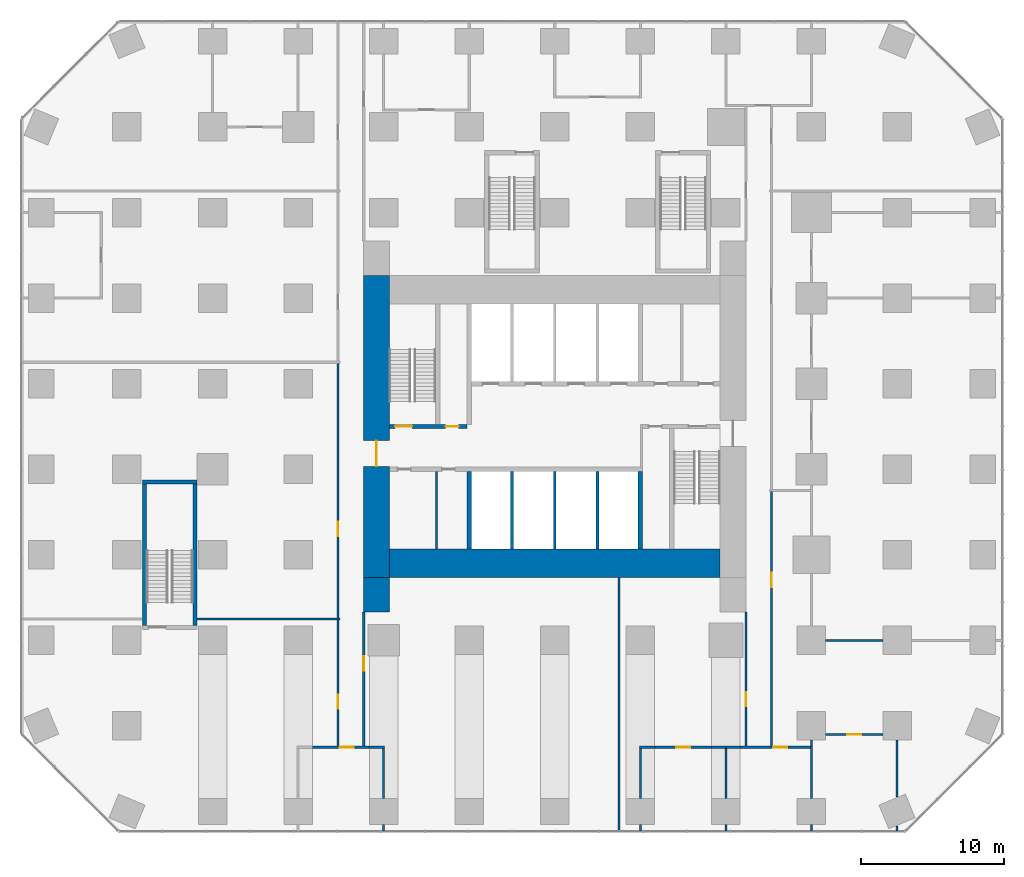
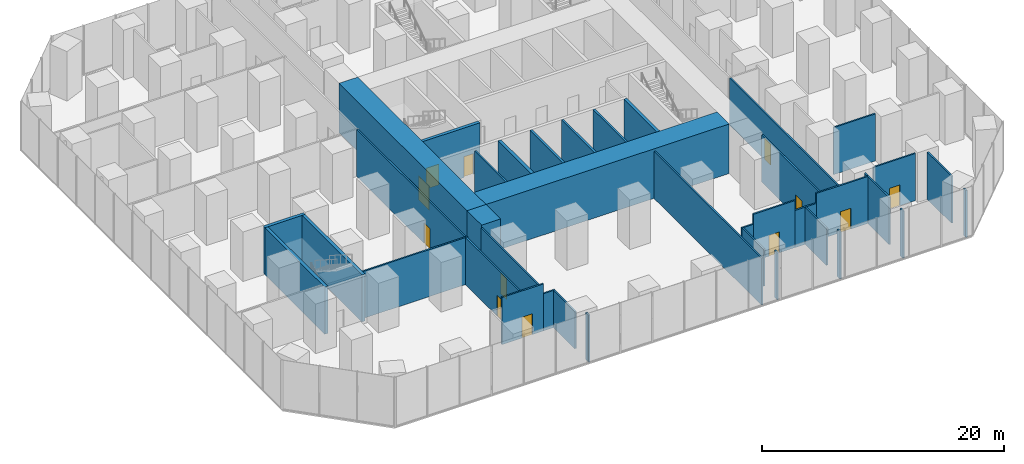
# One storey, part 11 of 15: 40 walls, 12 doors, 12 openings.
"""IFC4 building model written with IfcOpenShell, lengths in metres."""

from ifc_helpers import new_model, si_unit, direction, frame, frame_2d, origin, place, context, subcontext, project, spatial, rectangle, extrude, material, layer, layer_set, type_object, element, fill, save


model = new_model("IFC4")

# Units and contexts
model_context = context("Model", 3, precision=1e-05, world=origin(), true_north=direction((0.0, 1.0)))
body_context = subcontext(model_context, "Body", "Model", "MODEL_VIEW")
ifc_project = project(units=[si_unit("LENGTHUNIT", "METRE"), si_unit("AREAUNIT", "SQUARE_METRE"), si_unit("VOLUMEUNIT", "CUBIC_METRE"), si_unit("PLANEANGLEUNIT", "RADIAN"), si_unit("MASSUNIT", "GRAM", prefix="KILO")], contexts=[model_context])

# Site, building, storey
site_placement = place(None, origin())
site = spatial("IfcSite", under=ifc_project, at=site_placement, CompositionType="ELEMENT")
building_placement = place(site_placement, origin())
building = spatial("IfcBuilding", under=site, at=building_placement, Name="Highveld Stack Headquarters", CompositionType="ELEMENT")
storey_placement = place(building_placement, frame((0.0, 0.0, 6.0)))
storey = spatial("IfcBuildingStorey", under=building, at=storey_placement, Name="L01", CompositionType="ELEMENT", Elevation=6.0)

# Wall, opening, door
ifc_material_1 = material(Name="Concrete C60/75", Category="concrete")
ifc_layer_1 = layer(ifc_material_1, 1.800048828125)
ifc_layer_set_1 = layer_set([ifc_layer_1], Name="Concrete C60/75")
wall_type_1 = type_object("IfcWallType", Name="CORE WALL 1800 C60/75", PredefinedType="SHEAR", material=ifc_layer_set_1)
wall_1_placement = place(storey_placement, frame((-6.5, -7.60009765625, 0.0), z_axis=(0.0, 0.0, 1.0), x_axis=(0.0, 1.0, 0.0)))
wall_1 = element("IfcWall", 1, at=wall_1_placement, inside=storey, type_object=wall_type_1, Name="Core wall W L01", PredefinedType="SHEAR", context=body_context, shape_type="SweptSolid", body=[
    extrude(rectangle(XDim=21.2001953125, YDim=1.800048828125, at=frame_2d((10.60009765625, 0.0))), origin(), (0.0, 0.0, 1.0), 5.0),
])
opening_1_placement = place(wall_1_placement, frame((7.800048828125, 0.0, 0.0)))
opening_1 = element("IfcOpeningElement", 2, at=opening_1_placement, cuts=wall_1, Name="Opening L01-01", PredefinedType="OPENING", context=body_context, shape_type="SweptSolid", body=[
    extrude(rectangle(XDim=1.800048828125, YDim=2.39990234375, at=frame_2d((0.89990234375, 1.199951171875))), frame((0.0, 0.909912109375, 0.0), z_axis=(0.0, -1.0, 0.0), x_axis=(1.0, 0.0, 0.0)), (0.0, 0.0, 1.0), 1.820068359375),
])
ifc_material_2 = material(Name="Steel fire door", Category="steel")
door_type_1 = type_object("IfcDoorType", Name="LOBBY FIRE DOOR D4 1800x2400", OperationType="DOUBLE_DOOR_SINGLE_SWING", PredefinedType="DOOR", material=ifc_material_2)
door_1_placement = place(opening_1_placement, origin())
door_1 = element("IfcDoor", 3, at=door_1_placement, inside=storey, type_object=door_type_1, Name="Core west door L01", OperationType="DOUBLE_DOOR_SINGLE_SWING", OverallHeight=2.39990234375, OverallWidth=1.800048828125, PredefinedType="DOOR", context=body_context, shape_type="SweptSolid", body=[
    extrude(rectangle(XDim=1.800048828125, YDim=2.39990234375, at=frame_2d((0.89990234375, 1.199951171875))), frame((0.0, 0.02490234375, 0.0), z_axis=(0.0, -1.0, 0.0), x_axis=(1.0, 0.0, 0.0)), (0.0, 0.0, 1.0), 0.050048828125),
])
fill(opening_1, door_1)

# Wall
ifc_material_3 = material(Name="Concrete C60/75", Category="concrete")
ifc_layer_2 = layer(ifc_material_3, 2.0)
ifc_layer_set_2 = layer_set([ifc_layer_2], Name="Concrete C60/75")
wall_type_2 = type_object("IfcWallType", Name="CORE WALL 2000 C60/75", PredefinedType="SHEAR", material=ifc_layer_set_2)
wall_2_placement = place(storey_placement, frame((-5.60009765625, -6.60009765625, 0.0), z_axis=(0.0, 0.0, 1.0), x_axis=(1.0, 0.0, 0.0)))
element("IfcWall", 4, at=wall_2_placement, inside=storey, type_object=wall_type_2, Name="Core wall S L01", PredefinedType="SHEAR", context=body_context, shape_type="SweptSolid", body=[
    extrude(rectangle(XDim=23.2001953125, YDim=2.0, at=frame_2d((11.60009765625, 0.0))), origin(), (0.0, 0.0, 1.0), 5.0),
])

# Wall, openings, doors
ifc_material_4 = material(Name="Concrete C60/75", Category="concrete")
ifc_layer_3 = layer(ifc_material_4, 0.300048828125)
ifc_layer_set_3 = layer_set([ifc_layer_3], Name="Concrete C60/75")
wall_type_3 = type_object("IfcWallType", Name="CORE WALL 300 C60/75", PredefinedType="SHEAR", material=ifc_layer_set_3)
wall_3_placement = place(storey_placement, frame((-5.60009765625, 3.0, 0.0), z_axis=(0.0, 0.0, 1.0), x_axis=(1.0, 0.0, 0.0)))
wall_3 = element("IfcWall", 5, at=wall_3_placement, inside=storey, type_object=wall_type_3, Name="Core wall I-Y3W L01", PredefinedType="SHEAR", context=body_context, shape_type="SweptSolid", body=[
    extrude(rectangle(XDim=5.4501953125, YDim=0.300048828125, at=frame_2d((2.72509765625, 0.0))), origin(), (0.0, 0.0, 1.0), 5.0),
])
opening_2_placement = place(wall_3_placement, frame((0.39990234375, 0.0, 0.0)))
opening_2 = element("IfcOpeningElement", 6, at=opening_2_placement, cuts=wall_3, Name="Opening L01-03", PredefinedType="OPENING", context=body_context, shape_type="SweptSolid", body=[
    extrude(rectangle(XDim=1.199951171875, YDim=2.10009765625, at=frame_2d((0.60009765625, 1.050048828125))), frame((0.0, 0.159912109375, 0.0), z_axis=(0.0, -1.0, 0.0), x_axis=(1.0, 0.0, 0.0)), (0.0, 0.0, 1.0), 0.320068359375),
])
opening_3_placement = place(wall_3_placement, frame((3.949951171875, 0.0, 0.0)))
opening_3 = element("IfcOpeningElement", 7, at=opening_3_placement, cuts=wall_3, Name="Opening L01-04", PredefinedType="OPENING", context=body_context, shape_type="SweptSolid", body=[
    extrude(rectangle(XDim=0.89990234375, YDim=2.10009765625, at=frame_2d((0.449951171875, 1.050048828125))), frame((0.0, 0.159912109375, 0.0), z_axis=(0.0, -1.0, 0.0), x_axis=(1.0, 0.0, 0.0)), (0.0, 0.0, 1.0), 0.320068359375),
])
ifc_material_5 = material(Name="Steel fire door", Category="steel")
door_type_2 = type_object("IfcDoorType", Name="RISER ACCESS DOOR D5 900x2100", OperationType="SINGLE_SWING_LEFT", PredefinedType="DOOR", material=ifc_material_5)
door_2_placement = place(opening_3_placement, origin())
door_2 = element("IfcDoor", 8, at=door_2_placement, inside=storey, type_object=door_type_2, Name="Riser R1 door L01", OperationType="SINGLE_SWING_RIGHT", OverallHeight=2.10009765625, OverallWidth=0.89990234375, PredefinedType="DOOR", context=body_context, shape_type="SweptSolid", body=[
    extrude(rectangle(XDim=0.89990234375, YDim=2.10009765625, at=frame_2d((0.449951171875, 1.050048828125))), frame((0.0, 0.02490234375, 0.0), z_axis=(0.0, -1.0, 0.0), x_axis=(1.0, 0.0, 0.0)), (0.0, 0.0, 1.0), 0.050048828125),
])
fill(opening_3, door_2)
ifc_material_6 = material(Name="Steel fire door", Category="steel")
door_type_3 = type_object("IfcDoorType", Name="STAIR FIRE DOOR D3 1200x2100", OperationType="SINGLE_SWING_LEFT", PredefinedType="DOOR", material=ifc_material_6)
door_3_placement = place(opening_2_placement, origin())
door_3 = element("IfcDoor", 9, at=door_3_placement, inside=storey, type_object=door_type_3, Name="Stair S1 door L01", OperationType="SINGLE_SWING_LEFT", OverallHeight=2.10009765625, OverallWidth=1.199951171875, PredefinedType="DOOR", context=body_context, shape_type="SweptSolid", body=[
    extrude(rectangle(XDim=1.199951171875, YDim=2.10009765625, at=frame_2d((0.60009765625, 1.050048828125))), frame((0.0, 0.02490234375, 0.0), z_axis=(0.0, -1.0, 0.0), x_axis=(1.0, 0.0, 0.0)), (0.0, 0.0, 1.0), 0.050048828125),
])
fill(opening_2, door_3)

# Walls
for number, where, z_axis, x_axis, name in (
    (10, (0.0, -5.60009765625, 0.0), (0.0, 0.0, 1.0), (0.0, 1.0, 0.0), "Core wall I-X0S L01"),
    (11, (12.0, -5.60009765625, 0.0), (0.0, 0.0, 1.0), (0.0, 1.0, 0.0), "Core wall I-X12S L01"),
):
    element("IfcWall", number, at=place(storey_placement, frame(where, z_axis=z_axis, x_axis=x_axis)), inside=storey, type_object=wall_type_3, Name=name, PredefinedType="SHEAR", context=body_context, shape_type="SweptSolid", body=[
        extrude(rectangle(XDim=5.4501953125, YDim=0.300048828125, at=frame_2d((2.72509765625, 0.0))), origin(), (0.0, 0.0, 1.0), 5.0),
    ])
ifc_material_7 = material(Name="Concrete C60/75", Category="concrete")
ifc_layer_4 = layer(ifc_material_7, 1.800048828125)
ifc_layer_set_4 = layer_set([ifc_layer_4], Name="Concrete C60/75")
wall_type_4 = type_object("IfcWallType", Name="CORE WING WALL 1800 C60/75", PredefinedType="SHEAR", material=ifc_layer_set_4)
wall_4_placement = place(storey_placement, frame((-6.5, -10.0, 0.0), z_axis=(0.0, 0.0, 1.0), x_axis=(0.0, 1.0, 0.0)))
element("IfcWall", 12, at=wall_4_placement, inside=storey, type_object=wall_type_4, Name="Core wing wall WS L01", PredefinedType="SHEAR", context=body_context, shape_type="SweptSolid", body=[
    extrude(rectangle(XDim=2.39990234375, YDim=1.800048828125, at=frame_2d((1.199951171875, 0.0))), origin(), (0.0, 0.0, 1.0), 5.0),
])

# Wall, opening, door
ifc_material_8 = material(Name="Laminated glass in aluminium frame", Category="aluminium")
ifc_layer_5 = layer(ifc_material_8, 0.14990234375)
ifc_layer_set_5 = layer_set([ifc_layer_5], Name="Laminated glass in aluminium frame")
wall_type_5 = type_object("IfcWallType", Name="GLAZED PARTITION 150", PredefinedType="PARTITIONING", material=ifc_layer_set_5)
wall_5_placement = place(storey_placement, frame((25.0, -18.60009765625, 0.0), z_axis=(0.0, 0.0, 1.0), x_axis=(1.0, 0.0, 0.0)))
wall_5 = element("IfcWall", 13, at=wall_5_placement, inside=storey, type_object=wall_type_5, Name="Glazed partition Video conference room L01", PredefinedType="PARTITIONING", context=body_context, shape_type="SweptSolid", body=[
    extrude(rectangle(XDim=4.0, YDim=0.14990234375, at=frame_2d((2.0, 0.0))), origin(), (0.0, 0.0, 1.0), 4.75),
])
opening_4_placement = place(wall_5_placement, frame((1.5, 0.0, 0.0)))
opening_4 = element("IfcOpeningElement", 14, at=opening_4_placement, cuts=wall_5, Name="Opening L01-20", PredefinedType="OPENING", context=body_context, shape_type="SweptSolid", body=[
    extrude(rectangle(XDim=1.0, YDim=2.10009765625, at=frame_2d((0.5, 1.050048828125))), frame((0.0, 0.0849609375, 0.0), z_axis=(0.0, -1.0, 0.0), x_axis=(1.0, 0.0, 0.0)), (0.0, 0.0, 1.0), 0.169921875),
])
ifc_material_9 = material(Name="Timber door, oiled ash", Category="wood")
door_type_4 = type_object("IfcDoorType", Name="ROOM DOOR D6 1000x2100", OperationType="SINGLE_SWING_LEFT", PredefinedType="DOOR", material=ifc_material_9)
door_4_placement = place(opening_4_placement, origin())
door_4 = element("IfcDoor", 15, at=door_4_placement, inside=storey, type_object=door_type_4, Name="Video conference room door 1 L01", OperationType="SINGLE_SWING_RIGHT", OverallHeight=2.10009765625, OverallWidth=1.0, PredefinedType="DOOR", context=body_context, shape_type="SweptSolid", body=[
    extrude(rectangle(XDim=1.0, YDim=2.10009765625, at=frame_2d((0.5, 1.050048828125))), frame((0.0, 0.02490234375, 0.0), z_axis=(0.0, -1.0, 0.0), x_axis=(1.0, 0.0, 0.0)), (0.0, 0.0, 1.0), 0.050048828125),
])
fill(opening_4, door_4)

# Walls
ifc_material_10 = material(Name="Concrete blockwork, fair-faced", Category="masonry")
ifc_layer_6 = layer(ifc_material_10, 0.199951171875)
ifc_layer_set_6 = layer_set([ifc_layer_6], Name="Concrete blockwork, fair-faced")
wall_type_6 = type_object("IfcWallType", Name="LIFT SHAFT ENCLOSURE WALL 200 BLOCKWORK", PredefinedType="SOLIDWALL", material=ifc_layer_set_6)
for number, where, z_axis, x_axis, name in (
    (16, (3.0, -5.60009765625, 0.0), (0.0, 0.0, 1.0), (0.0, 1.0, 0.0), "Lift shaft wall L01"),
    (17, (6.0, -5.60009765625, 0.0), (0.0, 0.0, 1.0), (0.0, 1.0, 0.0), "Lift shaft wall L01"),
    (18, (9.0, -5.60009765625, 0.0), (0.0, 0.0, 1.0), (0.0, 1.0, 0.0), "Lift shaft wall L01"),
):
    element("IfcWall", number, at=place(storey_placement, frame(where, z_axis=z_axis, x_axis=x_axis)), inside=storey, type_object=wall_type_6, Name=name, PredefinedType="SOLIDWALL", context=body_context, shape_type="SweptSolid", body=[
        extrude(rectangle(XDim=5.4501953125, YDim=0.199951171875, at=frame_2d((2.72509765625, 0.0))), origin(), (0.0, 0.0, 1.0), 5.0),
    ])

# Wall, opening, door
ifc_material_11 = material(Name="Gypsum plasterboard on steel studs", Category="steel")
ifc_layer_7 = layer(ifc_material_11, 0.14990234375)
ifc_layer_set_7 = layer_set([ifc_layer_7], Name="Gypsum plasterboard on steel studs")
wall_type_7 = type_object("IfcWallType", Name="PARTITION 150 PLASTERBOARD", PredefinedType="PARTITIONING", material=ifc_layer_set_7)
wall_6_placement = place(storey_placement, frame((-10.989990234375, -19.5, 0.0), z_axis=(0.0, 0.0, 1.0), x_axis=(1.0, 0.0, 0.0)))
wall_6 = element("IfcWall", 19, at=wall_6_placement, inside=storey, type_object=wall_type_7, Name="Partition Quiet room L01", PredefinedType="PARTITIONING", context=body_context, shape_type="SweptSolid", body=[
    extrude(rectangle(XDim=3.97998046875, YDim=0.14990234375, at=frame_2d((1.989990234375, 0.0))), origin(), (0.0, 0.0, 1.0), 4.75),
])
opening_5_placement = place(wall_6_placement, frame((1.89990234375, 0.0, 0.0)))
opening_5 = element("IfcOpeningElement", 20, at=opening_5_placement, cuts=wall_6, Name="Opening L01-17", PredefinedType="OPENING", context=body_context, shape_type="SweptSolid", body=[
    extrude(rectangle(XDim=1.0, YDim=2.10009765625, at=frame_2d((0.5, 1.050048828125))), frame((0.0, 0.0849609375, 0.0), z_axis=(0.0, -1.0, 0.0), x_axis=(1.0, 0.0, 0.0)), (0.0, 0.0, 1.0), 0.169921875),
])
door_5_placement = place(opening_5_placement, origin())
door_5 = element("IfcDoor", 21, at=door_5_placement, inside=storey, type_object=door_type_4, Name="Quiet room door 1 L01", OperationType="SINGLE_SWING_RIGHT", OverallHeight=2.10009765625, OverallWidth=1.0, PredefinedType="DOOR", context=body_context, shape_type="SweptSolid", body=[
    extrude(rectangle(XDim=1.0, YDim=2.10009765625, at=frame_2d((0.5, 1.050048828125))), frame((0.0, 0.02490234375, 0.0), z_axis=(0.0, -1.0, 0.0), x_axis=(1.0, 0.0, 0.0)), (0.0, 0.0, 1.0), 0.050048828125),
])
fill(opening_5, door_5)

# Walls
for number, where, z_axis, x_axis, name in (
    (22, (-7.010009765625, -19.5, 0.0), (0.0, 0.0, 1.0), (1.0, 0.0, 0.0), "Partition Quiet room L01"),
    (23, (11.925048828125, -19.5, 0.0), (0.0, 0.0, 1.0), (1.0, 0.0, 0.0), "Partition Quiet room L01"),
):
    element("IfcWall", number, at=place(storey_placement, frame(where, z_axis=z_axis, x_axis=x_axis)), inside=storey, type_object=wall_type_7, Name=name, PredefinedType="PARTITIONING", context=body_context, shape_type="SweptSolid", body=[
        extrude(rectangle(XDim=1.0849609375, YDim=0.14990234375, at=frame_2d((0.54248046875, 0.0))), origin(), (0.0, 0.0, 1.0), 3.75),
    ])

# Wall, opening, door
wall_7_placement = place(storey_placement, frame((13.010009765625, -19.5, 0.0), z_axis=(0.0, 0.0, 1.0), x_axis=(1.0, 0.0, 0.0)))
wall_7 = element("IfcWall", 24, at=wall_7_placement, inside=storey, type_object=wall_type_7, Name="Partition Quiet room L01", PredefinedType="PARTITIONING", context=body_context, shape_type="SweptSolid", body=[
    extrude(rectangle(XDim=3.97998046875, YDim=0.14990234375, at=frame_2d((1.989990234375, 0.0))), origin(), (0.0, 0.0, 1.0), 4.75),
])
opening_6_placement = place(wall_7_placement, frame((1.489990234375, 0.0, 0.0)))
opening_6 = element("IfcOpeningElement", 25, at=opening_6_placement, cuts=wall_7, Name="Opening L01-18", PredefinedType="OPENING", context=body_context, shape_type="SweptSolid", body=[
    extrude(rectangle(XDim=1.0, YDim=2.10009765625, at=frame_2d((0.5, 1.050048828125))), frame((0.0, 0.0849609375, 0.0), z_axis=(0.0, -1.0, 0.0), x_axis=(1.0, 0.0, 0.0)), (0.0, 0.0, 1.0), 0.169921875),
])
door_6_placement = place(opening_6_placement, origin())
door_6 = element("IfcDoor", 26, at=door_6_placement, inside=storey, type_object=door_type_4, Name="Quiet room door 1 L01", OperationType="SINGLE_SWING_LEFT", OverallHeight=2.10009765625, OverallWidth=1.0, PredefinedType="DOOR", context=body_context, shape_type="SweptSolid", body=[
    extrude(rectangle(XDim=1.0, YDim=2.10009765625, at=frame_2d((0.5, 1.050048828125))), frame((0.0, 0.02490234375, 0.0), z_axis=(0.0, -1.0, 0.0), x_axis=(1.0, 0.0, 0.0)), (0.0, 0.0, 1.0), 0.050048828125),
])
fill(opening_6, door_6)

# Walls
wall_8_placement = place(storey_placement, frame((16.989990234375, -19.5, 0.0), z_axis=(0.0, 0.0, 1.0), x_axis=(1.0, 0.0, 0.0)))
element("IfcWall", 27, at=wall_8_placement, inside=storey, type_object=wall_type_7, Name="Partition Quiet room L01", PredefinedType="PARTITIONING", context=body_context, shape_type="SweptSolid", body=[
    extrude(rectangle(XDim=1.0849609375, YDim=0.14990234375, at=frame_2d((0.54248046875, 0.0))), origin(), (0.0, 0.0, 1.0), 3.75),
])
wall_9_placement = place(storey_placement, frame((18.0, -19.5, 0.0), z_axis=(0.0, 0.0, 1.0), x_axis=(1.0, 0.0, 0.0)))
element("IfcWall", 28, at=wall_9_placement, inside=storey, type_object=wall_type_7, Name="Partition Quiet room L01", PredefinedType="PARTITIONING", context=body_context, shape_type="SweptSolid", body=[
    extrude(rectangle(XDim=1.010009765625, YDim=0.14990234375, at=frame_2d((0.5048828125, 0.0))), origin(), (0.0, 0.0, 1.0), 3.75),
])

# Wall, opening, door
wall_10_placement = place(storey_placement, frame((19.010009765625, -19.5, 0.0), z_axis=(0.0, 0.0, 1.0), x_axis=(1.0, 0.0, 0.0)))
wall_10 = element("IfcWall", 29, at=wall_10_placement, inside=storey, type_object=wall_type_7, Name="Partition Quiet room L01", PredefinedType="PARTITIONING", context=body_context, shape_type="SweptSolid", body=[
    extrude(rectangle(XDim=4.9150390625, YDim=0.14990234375, at=frame_2d((2.45751953125, 0.0))), origin(), (0.0, 0.0, 1.0), 4.75),
])
opening_7_placement = place(wall_10_placement, frame((2.300048828125, 0.0, 0.0)))
opening_7 = element("IfcOpeningElement", 30, at=opening_7_placement, cuts=wall_10, Name="Opening L01-19", PredefinedType="OPENING", context=body_context, shape_type="SweptSolid", body=[
    extrude(rectangle(XDim=1.0, YDim=2.10009765625, at=frame_2d((0.5, 1.050048828125))), frame((0.0, 0.0849609375, 0.0), z_axis=(0.0, -1.0, 0.0), x_axis=(1.0, 0.0, 0.0)), (0.0, 0.0, 1.0), 0.169921875),
])
door_7_placement = place(opening_7_placement, origin())
door_7 = element("IfcDoor", 31, at=door_7_placement, inside=storey, type_object=door_type_4, Name="Quiet room door 1 L01", OperationType="SINGLE_SWING_RIGHT", OverallHeight=2.10009765625, OverallWidth=1.0, PredefinedType="DOOR", context=body_context, shape_type="SweptSolid", body=[
    extrude(rectangle(XDim=1.0, YDim=2.10009765625, at=frame_2d((0.5, 1.050048828125))), frame((0.0, 0.02490234375, 0.0), z_axis=(0.0, -1.0, 0.0), x_axis=(1.0, 0.0, 0.0)), (0.0, 0.0, 1.0), 0.050048828125),
])
fill(opening_7, door_7)

# Walls
wall_11_placement = place(storey_placement, frame((25.0, -12.0, 0.0), z_axis=(0.0, 0.0, 1.0), x_axis=(1.0, 0.0, 0.0)))
element("IfcWall", 32, at=wall_11_placement, inside=storey, type_object=wall_type_7, Name="Partition Staff restaurant L01", PredefinedType="PARTITIONING", context=body_context, shape_type="SweptSolid", body=[
    extrude(rectangle(XDim=4.0, YDim=0.14990234375, at=frame_2d((2.0, 0.0))), origin(), (0.0, 0.0, 1.0), 4.75),
])
wall_12_placement = place(storey_placement, frame((-6.0, -25.375, 0.0), z_axis=(0.0, 0.0, 1.0), x_axis=(0.0, 1.0, 0.0)))
element("IfcWall", 33, at=wall_12_placement, inside=storey, type_object=wall_type_7, Name="Partition Quiet room L01", PredefinedType="PARTITIONING", context=body_context, shape_type="SweptSolid", body=[
    extrude(rectangle(XDim=0.47509765625, YDim=0.14990234375, at=frame_2d((0.237548828125, 0.0))), origin(), (0.0, 0.0, 1.0), 4.75),
])
wall_13_placement = place(storey_placement, frame((-6.0, -23.10009765625, 0.0), z_axis=(0.0, 0.0, 1.0), x_axis=(0.0, 1.0, 0.0)))
element("IfcWall", 34, at=wall_13_placement, inside=storey, type_object=wall_type_7, Name="Partition Quiet room L01", PredefinedType="PARTITIONING", context=body_context, shape_type="SweptSolid", body=[
    extrude(rectangle(XDim=3.525146484375, YDim=0.14990234375, at=frame_2d((1.7626953125, 0.0))), origin(), (0.0, 0.0, 1.0), 3.75),
])
wall_14_placement = place(storey_placement, frame((12.0, -25.375, 0.0), z_axis=(0.0, 0.0, 1.0), x_axis=(0.0, 1.0, 0.0)))
element("IfcWall", 35, at=wall_14_placement, inside=storey, type_object=wall_type_7, Name="Partition Quiet room L01", PredefinedType="PARTITIONING", context=body_context, shape_type="SweptSolid", body=[
    extrude(rectangle(XDim=0.47509765625, YDim=0.14990234375, at=frame_2d((0.237548828125, 0.0))), origin(), (0.0, 0.0, 1.0), 4.75),
])
wall_15_placement = place(storey_placement, frame((12.0, -23.10009765625, 0.0), z_axis=(0.0, 0.0, 1.0), x_axis=(0.0, 1.0, 0.0)))
element("IfcWall", 36, at=wall_15_placement, inside=storey, type_object=wall_type_7, Name="Partition Quiet room L01", PredefinedType="PARTITIONING", context=body_context, shape_type="SweptSolid", body=[
    extrude(rectangle(XDim=3.525146484375, YDim=0.14990234375, at=frame_2d((1.7626953125, 0.0))), origin(), (0.0, 0.0, 1.0), 3.75),
])
wall_16_placement = place(storey_placement, frame((18.0, -25.375, 0.0), z_axis=(0.0, 0.0, 1.0), x_axis=(0.0, 1.0, 0.0)))
element("IfcWall", 37, at=wall_16_placement, inside=storey, type_object=wall_type_7, Name="Partition Quiet room L01", PredefinedType="PARTITIONING", context=body_context, shape_type="SweptSolid", body=[
    extrude(rectangle(XDim=0.47509765625, YDim=0.14990234375, at=frame_2d((0.237548828125, 0.0))), origin(), (0.0, 0.0, 1.0), 4.75),
])
wall_17_placement = place(storey_placement, frame((18.0, -23.10009765625, 0.0), z_axis=(0.0, 0.0, 1.0), x_axis=(0.0, 1.0, 0.0)))
element("IfcWall", 38, at=wall_17_placement, inside=storey, type_object=wall_type_7, Name="Partition Quiet room L01", PredefinedType="PARTITIONING", context=body_context, shape_type="SweptSolid", body=[
    extrude(rectangle(XDim=3.525146484375, YDim=0.14990234375, at=frame_2d((1.7626953125, 0.0))), origin(), (0.0, 0.0, 1.0), 3.75),
])
wall_18_placement = place(storey_placement, frame((24.0, -25.375, 0.0), z_axis=(0.0, 0.0, 1.0), x_axis=(0.0, 1.0, 0.0)))
element("IfcWall", 39, at=wall_18_placement, inside=storey, type_object=wall_type_7, Name="Partition Quiet room / Video conference room L01", PredefinedType="PARTITIONING", context=body_context, shape_type="SweptSolid", body=[
    extrude(rectangle(XDim=0.47509765625, YDim=0.14990234375, at=frame_2d((0.237548828125, 0.0))), origin(), (0.0, 0.0, 1.0), 4.75),
])
wall_19_placement = place(storey_placement, frame((24.0, -23.10009765625, 0.0), z_axis=(0.0, 0.0, 1.0), x_axis=(0.0, 1.0, 0.0)))
element("IfcWall", 40, at=wall_19_placement, inside=storey, type_object=wall_type_7, Name="Partition Quiet room / Video conference room L01", PredefinedType="PARTITIONING", context=body_context, shape_type="SweptSolid", body=[
    extrude(rectangle(XDim=3.675048828125, YDim=0.14990234375, at=frame_2d((1.83740234375, 0.0))), origin(), (0.0, 0.0, 1.0), 4.75),
])
wall_20_placement = place(storey_placement, frame((24.0, -19.425048828125, 0.0), z_axis=(0.0, 0.0, 1.0), x_axis=(0.0, 1.0, 0.0)))
element("IfcWall", 41, at=wall_20_placement, inside=storey, type_object=wall_type_7, Name="Partition Video conference room L01", PredefinedType="PARTITIONING", context=body_context, shape_type="SweptSolid", body=[
    extrude(rectangle(XDim=0.425048828125, YDim=0.14990234375, at=frame_2d((0.21240234375, 0.0))), origin(), (0.0, 0.0, 1.0), 4.75),
])
wall_21_placement = place(storey_placement, frame((30.0, -25.375, 0.0), z_axis=(0.0, 0.0, 1.0), x_axis=(0.0, 1.0, 0.0)))
element("IfcWall", 42, at=wall_21_placement, inside=storey, type_object=wall_type_7, Name="Partition Video conference room L01", PredefinedType="PARTITIONING", context=body_context, shape_type="SweptSolid", body=[
    extrude(rectangle(XDim=0.369873046875, YDim=0.14990234375, at=frame_2d((0.18505859375, 0.0))), origin(), (0.0, 0.0, 1.0), 4.75),
])
wall_22_placement = place(storey_placement, frame((30.0, -22.994873046875, 0.0), z_axis=(0.0, 0.0, 1.0), x_axis=(0.0, 1.0, 0.0)))
element("IfcWall", 43, at=wall_22_placement, inside=storey, type_object=wall_type_7, Name="Partition Video conference room L01", PredefinedType="PARTITIONING", context=body_context, shape_type="SweptSolid", body=[
    extrude(rectangle(XDim=3.994873046875, YDim=0.14990234375, at=frame_2d((1.99755859375, 0.0))), origin(), (0.0, 0.0, 1.0), 4.75),
])
wall_23_placement = place(storey_placement, frame((-19.074951171875, -10.5, 0.0), z_axis=(0.0, 0.0, 1.0), x_axis=(1.0, 0.0, 0.0)))
element("IfcWall", 44, at=wall_23_placement, inside=storey, type_object=wall_type_7, Name="Partition office neighbourhood L01", PredefinedType="PARTITIONING", context=body_context, shape_type="SweptSolid", body=[
    extrude(rectangle(XDim=10.02490234375, YDim=0.14990234375, at=frame_2d((5.012451171875, 0.0))), origin(), (0.0, 0.0, 1.0), 4.75),
])

# Wall, opening, door
wall_24_placement = place(storey_placement, frame((-9.199951171875, -19.425048828125, 0.0), z_axis=(0.0, 0.0, 1.0), x_axis=(0.0, 1.0, 0.0)))
wall_24 = element("IfcWall", 45, at=wall_24_placement, inside=storey, type_object=wall_type_7, Name="Partition office neighbourhood L01", PredefinedType="PARTITIONING", context=body_context, shape_type="SweptSolid", body=[
    extrude(rectangle(XDim=8.85009765625, YDim=0.14990234375, at=frame_2d((4.425048828125, 0.0))), origin(), (0.0, 0.0, 1.0), 4.75),
])
opening_8_placement = place(wall_24_placement, frame((2.6240234375, 0.0, 0.0)))
opening_8 = element("IfcOpeningElement", 46, at=opening_8_placement, cuts=wall_24, Name="Opening L01-26", PredefinedType="OPENING", context=body_context, shape_type="SweptSolid", body=[
    extrude(rectangle(XDim=1.0, YDim=2.10009765625, at=frame_2d((0.5, 1.050048828125))), frame((0.0, 0.0849609375, 0.0), z_axis=(0.0, -1.0, 0.0), x_axis=(1.0, 0.0, 0.0)), (0.0, 0.0, 1.0), 0.169921875),
])
door_8_placement = place(opening_8_placement, origin())
door_8 = element("IfcDoor", 47, at=door_8_placement, inside=storey, type_object=door_type_4, Name="Office neighbourhood door L01", OperationType="SINGLE_SWING_LEFT", OverallHeight=2.10009765625, OverallWidth=1.0, PredefinedType="DOOR", context=body_context, shape_type="SweptSolid", body=[
    extrude(rectangle(XDim=1.0, YDim=2.10009765625, at=frame_2d((0.5, 1.050048828125))), frame((0.0, 0.02490234375, 0.0), z_axis=(0.0, -1.0, 0.0), x_axis=(1.0, 0.0, 0.0)), (0.0, 0.0, 1.0), 0.050048828125),
])
fill(opening_8, door_8)

wall_25_placement = place(storey_placement, frame((-9.199951171875, -10.425048828125, 0.0), z_axis=(0.0, 0.0, 1.0), x_axis=(0.0, 1.0, 0.0)))
wall_25 = element("IfcWall", 48, at=wall_25_placement, inside=storey, type_object=wall_type_7, Name="Partition office neighbourhood L01", PredefinedType="PARTITIONING", context=body_context, shape_type="SweptSolid", body=[
    extrude(rectangle(XDim=17.85009765625, YDim=0.14990234375, at=frame_2d((8.925048828125, 0.0))), origin(), (0.0, 0.0, 1.0), 4.75),
])
opening_9_placement = place(wall_25_placement, frame((5.72509765625, 0.0, 0.0)))
opening_9 = element("IfcOpeningElement", 49, at=opening_9_placement, cuts=wall_25, Name="Opening L01-29", PredefinedType="OPENING", context=body_context, shape_type="SweptSolid", body=[
    extrude(rectangle(XDim=1.0, YDim=2.10009765625, at=frame_2d((0.5, 1.050048828125))), frame((0.0, 0.0849609375, 0.0), z_axis=(0.0, -1.0, 0.0), x_axis=(1.0, 0.0, 0.0)), (0.0, 0.0, 1.0), 0.169921875),
])
door_9_placement = place(opening_9_placement, origin())
door_9 = element("IfcDoor", 50, at=door_9_placement, inside=storey, type_object=door_type_4, Name="Office neighbourhood door L01", OperationType="SINGLE_SWING_LEFT", OverallHeight=2.10009765625, OverallWidth=1.0, PredefinedType="DOOR", context=body_context, shape_type="SweptSolid", body=[
    extrude(rectangle(XDim=1.0, YDim=2.10009765625, at=frame_2d((0.5, 1.050048828125))), frame((0.0, 0.02490234375, 0.0), z_axis=(0.0, -1.0, 0.0), x_axis=(1.0, 0.0, 0.0)), (0.0, 0.0, 1.0), 0.050048828125),
])
fill(opening_9, door_9)

wall_26_placement = place(storey_placement, frame((-7.39990234375, -19.425048828125, 0.0), z_axis=(0.0, 0.0, 1.0), x_axis=(0.0, 1.0, 0.0)))
wall_26 = element("IfcWall", 51, at=wall_26_placement, inside=storey, type_object=wall_type_7, Name="Partition office neighbourhood L01", PredefinedType="PARTITIONING", context=body_context, shape_type="SweptSolid", body=[
    extrude(rectangle(XDim=9.425048828125, YDim=0.14990234375, at=frame_2d((4.71240234375, 0.0))), origin(), (0.0, 0.0, 1.0), 4.75),
])
opening_10_placement = place(wall_26_placement, frame((5.300048828125, 0.0, 0.0)))
opening_10 = element("IfcOpeningElement", 52, at=opening_10_placement, cuts=wall_26, Name="Opening L01-36", PredefinedType="OPENING", context=body_context, shape_type="SweptSolid", body=[
    extrude(rectangle(XDim=1.0, YDim=2.10009765625, at=frame_2d((0.5, 1.050048828125))), frame((0.0, 0.0849609375, 0.0), z_axis=(0.0, -1.0, 0.0), x_axis=(1.0, 0.0, 0.0)), (0.0, 0.0, 1.0), 0.169921875),
])
door_10_placement = place(opening_10_placement, origin())
door_10 = element("IfcDoor", 53, at=door_10_placement, inside=storey, type_object=door_type_4, Name="Office neighbourhood door L01", OperationType="SINGLE_SWING_RIGHT", OverallHeight=2.10009765625, OverallWidth=1.0, PredefinedType="DOOR", context=body_context, shape_type="SweptSolid", body=[
    extrude(rectangle(XDim=1.0, YDim=2.10009765625, at=frame_2d((0.5, 1.050048828125))), frame((0.0, 0.02490234375, 0.0), z_axis=(0.0, -1.0, 0.0), x_axis=(1.0, 0.0, 0.0)), (0.0, 0.0, 1.0), 0.050048828125),
])
fill(opening_10, door_10)

# Wall
wall_27_placement = place(storey_placement, frame((10.5, -25.375, 0.0), z_axis=(0.0, 0.0, 1.0), x_axis=(0.0, 1.0, 0.0)))
element("IfcWall", 54, at=wall_27_placement, inside=storey, type_object=wall_type_7, Name="Partition office neighbourhood L01", PredefinedType="PARTITIONING", context=body_context, shape_type="SweptSolid", body=[
    extrude(rectangle(XDim=17.77490234375, YDim=0.14990234375, at=frame_2d((8.887451171875, 0.0))), origin(), (0.0, 0.0, 1.0), 4.75),
])

# Wall, opening, door
wall_28_placement = place(storey_placement, frame((19.39990234375, -19.425048828125, 0.0), z_axis=(0.0, 0.0, 1.0), x_axis=(0.0, 1.0, 0.0)))
wall_28 = element("IfcWall", 55, at=wall_28_placement, inside=storey, type_object=wall_type_7, Name="Partition office neighbourhood L01", PredefinedType="PARTITIONING", context=body_context, shape_type="SweptSolid", body=[
    extrude(rectangle(XDim=9.425048828125, YDim=0.14990234375, at=frame_2d((4.71240234375, 0.0))), origin(), (0.0, 0.0, 1.0), 4.75),
])
opening_11_placement = place(wall_28_placement, frame((2.799072265625, 0.0, 0.0)))
opening_11 = element("IfcOpeningElement", 56, at=opening_11_placement, cuts=wall_28, Name="Opening L01-28", PredefinedType="OPENING", context=body_context, shape_type="SweptSolid", body=[
    extrude(rectangle(XDim=1.0, YDim=2.10009765625, at=frame_2d((0.5, 1.050048828125))), frame((0.0, 0.0849609375, 0.0), z_axis=(0.0, -1.0, 0.0), x_axis=(1.0, 0.0, 0.0)), (0.0, 0.0, 1.0), 0.169921875),
])
door_11_placement = place(opening_11_placement, origin())
door_11 = element("IfcDoor", 57, at=door_11_placement, inside=storey, type_object=door_type_4, Name="Office neighbourhood door L01", OperationType="SINGLE_SWING_LEFT", OverallHeight=2.10009765625, OverallWidth=1.0, PredefinedType="DOOR", context=body_context, shape_type="SweptSolid", body=[
    extrude(rectangle(XDim=1.0, YDim=2.10009765625, at=frame_2d((0.5, 1.050048828125))), frame((0.0, 0.02490234375, 0.0), z_axis=(0.0, -1.0, 0.0), x_axis=(1.0, 0.0, 0.0)), (0.0, 0.0, 1.0), 0.050048828125),
])
fill(opening_11, door_11)

wall_29_placement = place(storey_placement, frame((21.199951171875, -19.425048828125, 0.0), z_axis=(0.0, 0.0, 1.0), x_axis=(0.0, 1.0, 0.0)))
wall_29 = element("IfcWall", 58, at=wall_29_placement, inside=storey, type_object=wall_type_7, Name="Partition office neighbourhood L01", PredefinedType="PARTITIONING", context=body_context, shape_type="SweptSolid", body=[
    extrude(rectangle(XDim=17.85009765625, YDim=0.14990234375, at=frame_2d((8.925048828125, 0.0))), origin(), (0.0, 0.0, 1.0), 4.75),
])
opening_12_placement = place(wall_29_placement, frame((11.15087890625, 0.0, 0.0)))
opening_12 = element("IfcOpeningElement", 59, at=opening_12_placement, cuts=wall_29, Name="Opening L01-27", PredefinedType="OPENING", context=body_context, shape_type="SweptSolid", body=[
    extrude(rectangle(XDim=1.0, YDim=2.10009765625, at=frame_2d((0.5, 1.050048828125))), frame((0.0, 0.0849609375, 0.0), z_axis=(0.0, -1.0, 0.0), x_axis=(1.0, 0.0, 0.0)), (0.0, 0.0, 1.0), 0.169921875),
])
door_12_placement = place(opening_12_placement, origin())
door_12 = element("IfcDoor", 60, at=door_12_placement, inside=storey, type_object=door_type_4, Name="Office neighbourhood door L01", OperationType="SINGLE_SWING_RIGHT", OverallHeight=2.10009765625, OverallWidth=1.0, PredefinedType="DOOR", context=body_context, shape_type="SweptSolid", body=[
    extrude(rectangle(XDim=1.0, YDim=2.10009765625, at=frame_2d((0.5, 1.050048828125))), frame((0.0, 0.02490234375, 0.0), z_axis=(0.0, -1.0, 0.0), x_axis=(1.0, 0.0, 0.0)), (0.0, 0.0, 1.0), 0.050048828125),
])
fill(opening_12, door_12)

# Walls
ifc_material_12 = material(Name="Concrete C40/50", Category="concrete")
ifc_layer_8 = layer(ifc_material_12, 0.300048828125)
ifc_layer_set_8 = layer_set([ifc_layer_8], Name="Concrete C40/50")
wall_type_8 = type_object("IfcWallType", Name="STAIR ENCLOSURE WALL 300", PredefinedType="SOLIDWALL", material=ifc_layer_set_8)
wall_30_placement = place(storey_placement, frame((-22.925048828125, -0.89990234375, 0.0), z_axis=(0.0, 0.0, 1.0), x_axis=(1.0, 0.0, 0.0)))
element("IfcWall", 61, at=wall_30_placement, inside=storey, type_object=wall_type_8, Name="Stair PS1 enclosure N L01", PredefinedType="SOLIDWALL", context=body_context, shape_type="SweptSolid", body=[
    extrude(rectangle(XDim=3.85009765625, YDim=0.300048828125, at=frame_2d((1.925048828125, 0.0))), origin(), (0.0, 0.0, 1.0), 4.75),
])
for number, where, z_axis, x_axis, name in (
    (62, (-22.77490234375, -10.949951171875, 0.0), (0.0, 0.0, 1.0), (0.0, 1.0, 0.0), "Stair PS1 enclosure W L01"),
    (63, (-19.22509765625, -10.949951171875, 0.0), (0.0, 0.0, 1.0), (0.0, 1.0, 0.0), "Stair PS1 enclosure E L01"),
):
    element("IfcWall", number, at=place(storey_placement, frame(where, z_axis=z_axis, x_axis=x_axis)), inside=storey, type_object=wall_type_8, Name=name, PredefinedType="SOLIDWALL", context=body_context, shape_type="SweptSolid", body=[
        extrude(rectangle(XDim=9.89990234375, YDim=0.300048828125, at=frame_2d((4.949951171875, 0.0))), origin(), (0.0, 0.0, 1.0), 4.75),
    ])
ifc_material_13 = material(Name="Concrete blockwork, tiled", Category="masonry")
ifc_layer_9 = layer(ifc_material_13, 0.14990234375)
ifc_layer_set_9 = layer_set([ifc_layer_9], Name="Concrete blockwork, tiled")
wall_type_9 = type_object("IfcWallType", Name="WC PARTITION 150", PredefinedType="PLUMBINGWALL", material=ifc_layer_set_9)
wall_31_placement = place(storey_placement, frame((-2.300048828125, -5.60009765625, 0.0), z_axis=(0.0, 0.0, 1.0), x_axis=(0.0, 1.0, 0.0)))
element("IfcWall", 64, at=wall_31_placement, inside=storey, type_object=wall_type_9, Name="Toilet partition L01", PredefinedType="PLUMBINGWALL", context=body_context, shape_type="SweptSolid", body=[
    extrude(rectangle(XDim=5.4501953125, YDim=0.14990234375, at=frame_2d((2.72509765625, 0.0))), origin(), (0.0, 0.0, 1.0), 4.75),
])

save(model, "model.ifc")
